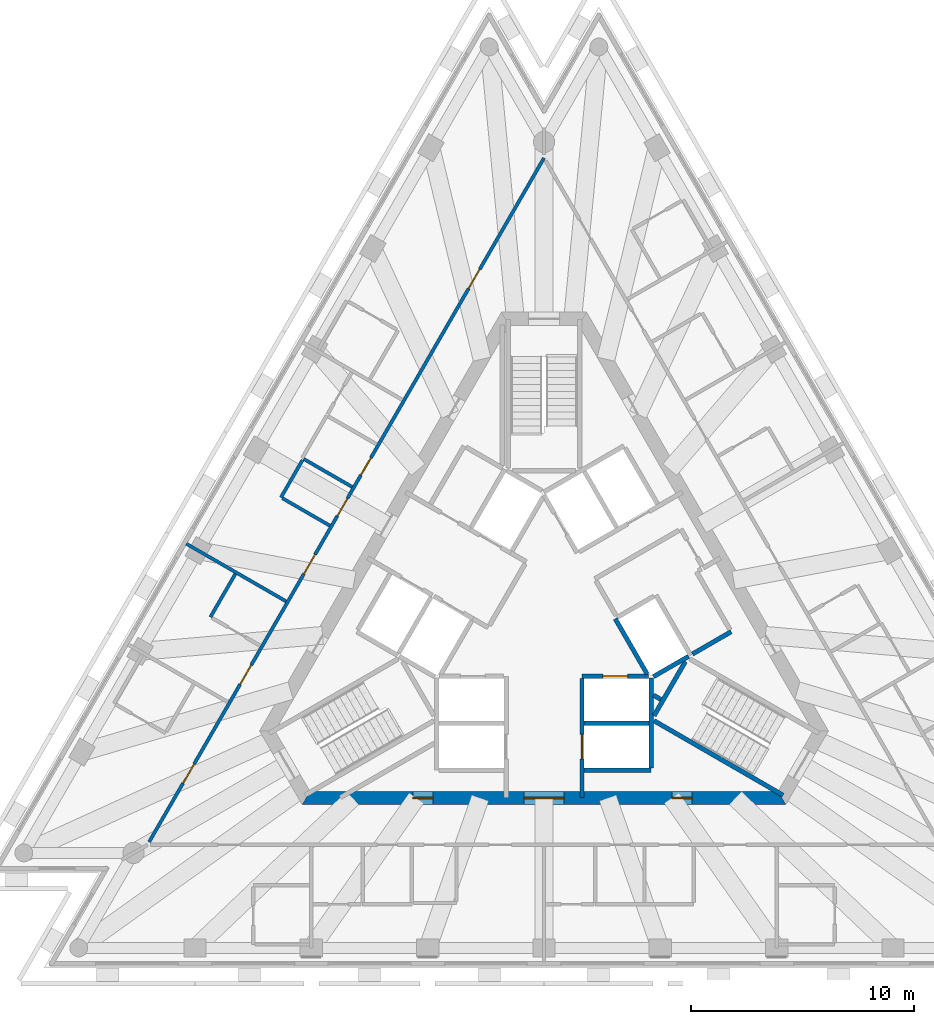
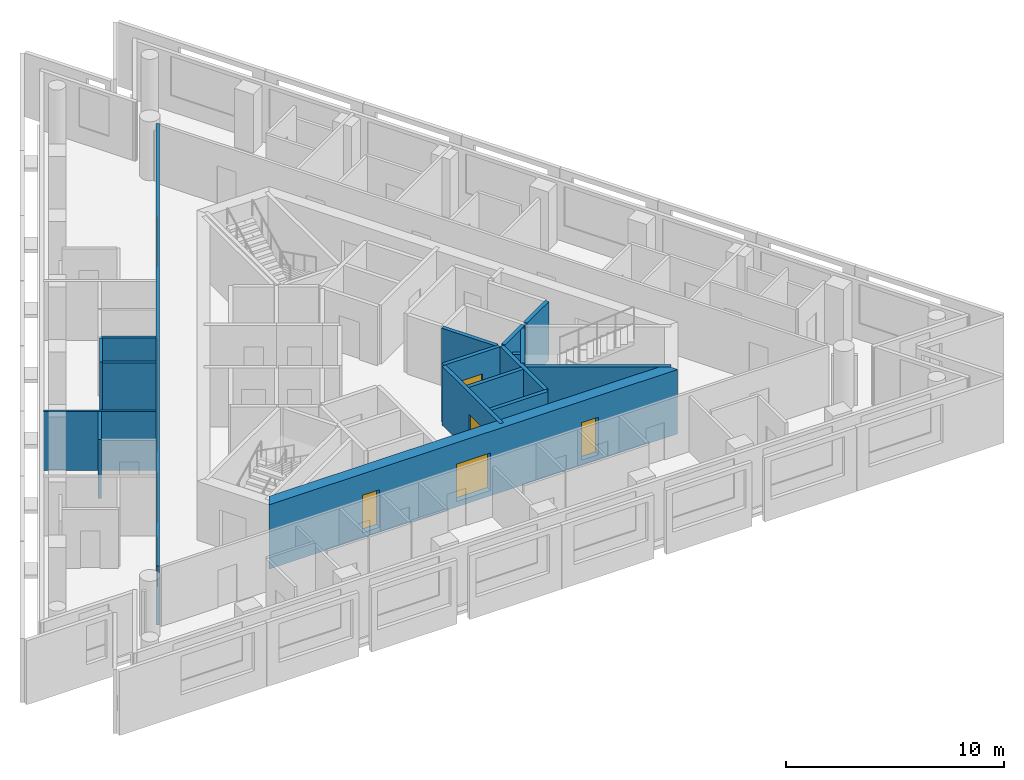
# One storey, part 4 of 10: 18 walls, 11 doors, 11 openings.
"""IFC4 building model written with IfcOpenShell, lengths in metres."""

from ifc_helpers import new_model, si_unit, direction, frame, frame_2d, origin, place, context, subcontext, project, spatial, polyline, rectangle, outline, extrude, material, layer, layer_set, type_object, element, fill, save


model = new_model("IFC4")

# Units and contexts
model_context = context("Model", 3, precision=1e-05, world=origin(), true_north=direction((0.0, 1.0)))
body_context = subcontext(model_context, "Body", "Model", "MODEL_VIEW")
ifc_project = project(units=[si_unit("LENGTHUNIT", "METRE"), si_unit("AREAUNIT", "SQUARE_METRE"), si_unit("VOLUMEUNIT", "CUBIC_METRE"), si_unit("PLANEANGLEUNIT", "RADIAN"), si_unit("MASSUNIT", "GRAM", prefix="KILO")], contexts=[model_context])

# Site, building, storey
site_placement = place(None, origin())
site = spatial("IfcSite", under=ifc_project, at=site_placement, CompositionType="ELEMENT")
building_placement = place(site_placement, origin())
building = spatial("IfcBuilding", under=site, at=building_placement, Name="Triada Interchange Tower", CompositionType="ELEMENT")
storey_placement = place(building_placement, frame((0.0, 0.0, 315.10009765625)))
storey = spatial("IfcBuildingStorey", under=building, at=storey_placement, Name="L75", CompositionType="ELEMENT", Elevation=315.10009765625)

# Walls
ifc_material_1 = material(Name="Concrete C30/37", Category="concrete")
ifc_layer_1 = layer(ifc_material_1, 0.199951171875)
ifc_layer_set_1 = layer_set([ifc_layer_1], Name="CORE WALL 200 EI 120")
wall_type_1 = type_object("IfcWallType", Name="CORE WALL 200 EI 120", PredefinedType="SOLIDWALL", material=ifc_layer_set_1)
wall_1_placement = place(storey_placement, frame((1.800048828125, -6.89990234375, 0.0), z_axis=(0.0, 0.0, 1.0), x_axis=(1.0, 0.0, 0.0)))
element("IfcWall", 1, at=wall_1_placement, inside=storey, type_object=wall_type_1, Name="Wall L74 68", PredefinedType="SOLIDWALL", context=body_context, shape_type="SweptSolid", body=[
    extrude(rectangle(XDim=3.0, YDim=0.199951171875, at=frame_2d((1.5, 0.0))), origin(), (0.0, 0.0, 1.0), 3.2998046875),
])
wall_2_placement = place(storey_placement, frame((1.800048828125, -4.800048828125, 0.0), z_axis=(0.0, 0.0, 1.0), x_axis=(1.0, 0.0, 0.0)))
element("IfcWall", 2, at=wall_2_placement, inside=storey, type_object=wall_type_1, Name="Wall L74 70", PredefinedType="SOLIDWALL", context=body_context, shape_type="SweptSolid", body=[
    extrude(rectangle(XDim=2.89990234375, YDim=0.199951171875, at=frame_2d((1.449951171875, 0.0))), origin(), (0.0, 0.0, 1.0), 3.2998046875),
])

# Wall, opening, door
wall_3_placement = place(storey_placement, frame((1.702880859375, -2.699951171875, 0.0), z_axis=(0.0, 0.0, 1.0), x_axis=(1.0, 0.0, 0.0)))
wall_3 = element("IfcWall", 3, at=wall_3_placement, inside=storey, type_object=wall_type_1, Name="Wall L74 73", PredefinedType="SOLIDWALL", context=body_context, shape_type="SweptSolid", body=[
    extrude(rectangle(XDim=2.97314453125, YDim=0.199951171875, at=frame_2d((1.486572265625, 0.0))), origin(), (0.0, 0.0, 1.0), 3.2998046875),
])
opening_1_placement = place(wall_3_placement, frame((0.93603515625, 0.0, 0.0)))
opening_1 = element("IfcOpeningElement", 4, at=opening_1_placement, cuts=wall_3, Name="Opening LD-HR1", PredefinedType="OPENING", context=body_context, shape_type="SweptSolid", body=[
    extrude(rectangle(XDim=1.10009765625, YDim=2.10009765625, at=frame_2d((0.550048828125, 1.050048828125))), frame((0.0, 0.10986328125, 0.0), z_axis=(0.0, -1.0, 0.0), x_axis=(1.0, 0.0, 0.0)), (0.0, 0.0, 1.0), 0.219970703125),
])
ifc_material_2 = material(Name="Steel S235 door leaf", Category="steel")
door_type_1 = type_object("IfcDoorType", Name="LIFT LANDING DOOR 1100 EI 120", OperationType="SLIDING_TO_LEFT", PredefinedType="DOOR", material=ifc_material_2)
door_1_placement = place(opening_1_placement, origin())
door_1 = element("IfcDoor", 5, at=door_1_placement, inside=storey, type_object=door_type_1, Name="HR1 landing door L75", OperationType="SLIDING_TO_LEFT", OverallHeight=2.10009765625, OverallWidth=1.10009765625, PredefinedType="DOOR", context=body_context, shape_type="SweptSolid", body=[
    extrude(rectangle(XDim=1.10009765625, YDim=2.10009765625, at=frame_2d((0.550048828125, 1.050048828125))), frame((0.0, 0.02490234375, 0.0), z_axis=(0.0, -1.0, 0.0), x_axis=(1.0, 0.0, 0.0)), (0.0, 0.0, 1.0), 0.050048828125),
])
fill(opening_1, door_1)

# Wall
wall_4_placement = place(storey_placement, frame((3.18994140625, -0.125, 0.0), z_axis=(0.0, 0.0, 1.0), x_axis=(0.499988658015, -0.866031951983, 0.0)))
element("IfcWall", 6, at=wall_4_placement, inside=storey, type_object=wall_type_1, Name="Wall L74 76", PredefinedType="SOLIDWALL", context=body_context, shape_type="SweptSolid", body=[
    extrude(rectangle(XDim=2.85791015625, YDim=0.199951171875, at=frame_2d((1.428955078125, 0.0))), origin(), (0.0, 0.0, 1.0), 3.2998046875),
])

# Wall, opening, door
wall_5_placement = place(storey_placement, frame((1.699951171875, -8.1298828125, 0.0), z_axis=(0.0, 0.0, 1.0), x_axis=(0.0, 1.0, 0.0)))
wall_5 = element("IfcWall", 7, at=wall_5_placement, inside=storey, type_object=wall_type_1, Name="Wall L74 78", PredefinedType="SOLIDWALL", context=body_context, shape_type="SweptSolid", body=[
    extrude(rectangle(XDim=5.326904296875, YDim=0.199951171875, at=frame_2d((2.66357421875, 0.0))), origin(), (0.0, 0.0, 1.0), 3.2998046875),
])
opening_2_placement = place(wall_5_placement, frame((1.72998046875, 0.0, 0.0)))
opening_2 = element("IfcOpeningElement", 8, at=opening_2_placement, cuts=wall_5, Name="Opening LD-HR2", PredefinedType="OPENING", context=body_context, shape_type="SweptSolid", body=[
    extrude(rectangle(XDim=1.10009765625, YDim=2.10009765625, at=frame_2d((0.550048828125, 1.050048828125))), frame((0.0, 0.10986328125, 0.0), z_axis=(0.0, -1.0, 0.0), x_axis=(1.0, 0.0, 0.0)), (0.0, 0.0, 1.0), 0.219970703125),
])
door_2_placement = place(opening_2_placement, origin())
door_2 = element("IfcDoor", 9, at=door_2_placement, inside=storey, type_object=door_type_1, Name="HR2 landing door L75", OperationType="SLIDING_TO_LEFT", OverallHeight=2.10009765625, OverallWidth=1.10009765625, PredefinedType="DOOR", context=body_context, shape_type="SweptSolid", body=[
    extrude(rectangle(XDim=1.10009765625, YDim=2.10009765625, at=frame_2d((0.550048828125, 1.050048828125))), frame((0.0, 0.02490234375, 0.0), z_axis=(0.0, -1.0, 0.0), x_axis=(1.0, 0.0, 0.0)), (0.0, 0.0, 1.0), 0.050048828125),
])
fill(opening_2, door_2)

# Walls
wall_6_placement = place(storey_placement, frame((4.800048828125, -6.800048828125, 0.0), z_axis=(0.0, 0.0, 1.0), x_axis=(0.0, 1.0, 0.0)))
element("IfcWall", 10, at=wall_6_placement, inside=storey, type_object=wall_type_1, Name="Wall L74 79", PredefinedType="SOLIDWALL", context=body_context, shape_type="SweptSolid", body=[
    extrude(rectangle(XDim=4.029052734375, YDim=0.199951171875, at=frame_2d((2.0146484375, 0.0))), origin(), (0.0, 0.0, 1.0), 3.2998046875),
])
wall_7_placement = place(storey_placement, frame((4.89990234375, -2.714111328125, 0.0), z_axis=(0.0, 0.0, 1.0), x_axis=(0.865846928409, 0.500309001083, 0.0)))
element("IfcWall", 11, at=wall_7_placement, inside=storey, type_object=wall_type_1, Name="Wall L74 88", PredefinedType="SOLIDWALL", context=body_context, shape_type="SweptSolid", body=[
    extrude(rectangle(XDim=1.813232421875, YDim=0.199951171875, at=frame_2d((0.90673828125, 0.0))), origin(), (0.0, 0.0, 1.0), 3.2998046875),
])
ifc_layer_2 = layer(ifc_material_1, 0.199951171875)
ifc_layer_set_2 = layer_set([ifc_layer_2], Name="CORE WALL 200 EI 90")
wall_type_2 = type_object("IfcWallType", Name="CORE WALL 200 EI 90", PredefinedType="SOLIDWALL", material=ifc_layer_set_2)
wall_8_placement = place(storey_placement, frame((4.89990234375, -3.5458984375, 0.0), z_axis=(0.0, 0.0, 1.0), x_axis=(0.865527936036, -0.500860651221, 0.0)))
element("IfcWall", 12, at=wall_8_placement, inside=storey, type_object=wall_type_2, Name="Wall L74 106", PredefinedType="SOLIDWALL", context=body_context, shape_type="SweptSolid", body=[
    extrude(rectangle(XDim=0.383544921875, YDim=0.199951171875, at=frame_2d((0.19189453125, 0.0))), origin(), (0.0, 0.0, 1.0), 3.2998046875),
])
wall_9_placement = place(storey_placement, frame((6.64208984375, -1.7080078125, 0.0), z_axis=(0.0, 0.0, 1.0), x_axis=(0.866043441391, 0.499968756647, 0.0)))
element("IfcWall", 13, at=wall_9_placement, inside=storey, type_object=wall_type_2, Name="Wall L74 107", PredefinedType="SOLIDWALL", context=body_context, shape_type="SweptSolid", body=[
    extrude(rectangle(XDim=2.002197265625, YDim=0.199951171875, at=frame_2d((1.0009765625, 0.0))), origin(), (0.0, 0.0, 1.0), 3.2998046875),
])
ifc_layer_3 = layer(ifc_material_1, 0.199951171875)
ifc_layer_set_3 = layer_set([ifc_layer_3], Name="CORE WALL 200 REI 240")
wall_type_3 = type_object("IfcWallType", Name="CORE WALL 200 REI 240", PredefinedType="SOLIDWALL", material=ifc_layer_set_3)
wall_10_placement = place(storey_placement, frame((4.928955078125, -4.4619140625, 0.0), z_axis=(0.0, 0.0, 1.0), x_axis=(0.500200581029, 0.865909567298, 0.0)))
element("IfcWall", 14, at=wall_10_placement, inside=storey, type_object=wall_type_3, Name="Wall L74 116", PredefinedType="SOLIDWALL", context=body_context, shape_type="SweptSolid", body=[
    extrude(rectangle(XDim=2.799072265625, YDim=0.199951171875, at=frame_2d((1.3994140625, 0.0))), origin(), (0.0, 0.0, 1.0), 3.2998046875),
])
wall_11_placement = place(storey_placement, frame((4.928955078125, -4.693115234375, 0.0), z_axis=(0.0, 0.0, 1.0), x_axis=(0.866005022404, -0.500035299925, 0.0)))
element("IfcWall", 15, at=wall_11_placement, inside=storey, type_object=wall_type_3, Name="Wall L74 118", PredefinedType="SOLIDWALL", context=body_context, shape_type="SweptSolid", body=[
    extrude(rectangle(XDim=6.6650390625, YDim=0.199951171875, at=frame_2d((3.33251953125, 0.0))), origin(), (0.0, 0.0, 1.0), 3.2998046875),
])

# Wall, openings, doors
ifc_material_3 = material(Name="Concrete C40/50", Category="concrete")
ifc_layer_4 = layer(ifc_material_3, 0.60009765625)
ifc_layer_set_4 = layer_set([ifc_layer_4], Name="Core wall D 600")
wall_type_4 = type_object("IfcWallType", Name="Core wall D 600", PredefinedType="SHEAR", material=ifc_layer_set_4)
wall_12_placement = place(storey_placement, frame((-10.652099609375, -8.14990234375, -0.300048828125), z_axis=(0.0, 0.0, 1.0), x_axis=(1.0, 0.0, 0.0)))
wall_12 = element("IfcWall", 16, at=wall_12_placement, inside=storey, type_object=wall_type_4, Name="Core wall WD04 L75", PredefinedType="SHEAR", context=body_context, shape_type="SweptSolid", body=[
    extrude(outline(polyline([(-0.173095703125, -0.300048828125), (1.795166015625, -0.300048828125), (3.76318359375, -0.300048828125), (5.7314453125, -0.300048828125), (7.69970703125, -0.300048828125), (9.66796875, -0.300048828125), (11.635986328125, -0.300048828125), (13.604248046875, -0.300048828125), (15.572509765625, -0.300048828125), (17.540771484375, -0.300048828125), (19.5087890625, -0.300048828125), (21.47705078125, -0.300048828125), (21.131103515625, 0.300048828125), (19.225830078125, 0.300048828125), (17.320556640625, 0.300048828125), (15.415283203125, 0.300048828125), (13.510009765625, 0.300048828125), (11.604736328125, 0.300048828125), (9.699462890625, 0.300048828125), (7.794189453125, 0.300048828125), (5.888916015625, 0.300048828125), (3.983642578125, 0.300048828125), (2.078369140625, 0.300048828125), (0.173095703125, 0.300048828125), (-0.173095703125, -0.300048828125)])), origin(), (0.0, 0.0, 1.0), 3.599853515625),
])
opening_3_placement = place(wall_12_placement, frame((9.751953125, 0.0, 0.300048828125)))
opening_3 = element("IfcOpeningElement", 17, at=opening_3_placement, cuts=wall_12, Name="Opening D74-45", PredefinedType="OPENING", context=body_context, shape_type="SweptSolid", body=[
    extrude(rectangle(XDim=1.800048828125, YDim=2.10009765625, at=frame_2d((0.89990234375, 1.050048828125))), frame((0.0, 0.31005859375, 0.0), z_axis=(0.0, -1.0, 0.0), x_axis=(1.0, 0.0, 0.0)), (0.0, 0.0, 1.0), 0.6201171875),
])
opening_4_placement = place(wall_12_placement, frame((4.777099609375, 0.0, 0.300048828125)))
opening_4 = element("IfcOpeningElement", 18, at=opening_4_placement, cuts=wall_12, Name="Opening D74-51", PredefinedType="OPENING", context=body_context, shape_type="SweptSolid", body=[
    extrude(rectangle(XDim=0.89990234375, YDim=2.10009765625, at=frame_2d((0.449951171875, 1.050048828125))), frame((0.0, 0.31005859375, 0.0), z_axis=(0.0, -1.0, 0.0), x_axis=(1.0, 0.0, 0.0)), (0.0, 0.0, 1.0), 0.6201171875),
])
opening_5_placement = place(wall_12_placement, frame((16.3779296875, 0.0, 0.300048828125)))
opening_5 = element("IfcOpeningElement", 19, at=opening_5_placement, cuts=wall_12, Name="Opening D74-54", PredefinedType="OPENING", context=body_context, shape_type="SweptSolid", body=[
    extrude(rectangle(XDim=0.89990234375, YDim=2.10009765625, at=frame_2d((0.449951171875, 1.050048828125))), frame((0.0, 0.31005859375, 0.0), z_axis=(0.0, -1.0, 0.0), x_axis=(1.0, 0.0, 0.0)), (0.0, 0.0, 1.0), 0.6201171875),
])
door_type_2 = type_object("IfcDoorType", Name="LOBBY DOOR 1800 EI2 90-C5S200", OperationType="DOUBLE_DOOR_SINGLE_SWING", PredefinedType="DOOR", material=ifc_material_2)
door_3_placement = place(opening_3_placement, origin())
door_3 = element("IfcDoor", 20, at=door_3_placement, inside=storey, type_object=door_type_2, Name="Door D74-45 L75", OperationType="DOUBLE_DOOR_SINGLE_SWING", OverallHeight=2.10009765625, OverallWidth=1.800048828125, PredefinedType="DOOR", context=body_context, shape_type="SweptSolid", body=[
    extrude(rectangle(XDim=1.800048828125, YDim=2.10009765625, at=frame_2d((0.89990234375, 1.050048828125))), frame((0.0, 0.02490234375, 0.0), z_axis=(0.0, -1.0, 0.0), x_axis=(1.0, 0.0, 0.0)), (0.0, 0.0, 1.0), 0.050048828125),
])
fill(opening_3, door_3)
door_type_3 = type_object("IfcDoorType", Name="RISER ACCESS DOOR 900 EI2 45-C5S200", OperationType="NOTDEFINED", PredefinedType="DOOR", material=ifc_material_2)
door_4_placement = place(opening_4_placement, origin())
door_4 = element("IfcDoor", 21, at=door_4_placement, inside=storey, type_object=door_type_3, Name="Door D74-51 L75", OperationType="SINGLE_SWING_RIGHT", OverallHeight=2.10009765625, OverallWidth=0.89990234375, PredefinedType="DOOR", context=body_context, shape_type="SweptSolid", body=[
    extrude(rectangle(XDim=0.89990234375, YDim=2.10009765625, at=frame_2d((0.449951171875, 1.050048828125))), frame((0.0, 0.02490234375, 0.0), z_axis=(0.0, -1.0, 0.0), x_axis=(1.0, 0.0, 0.0)), (0.0, 0.0, 1.0), 0.050048828125),
])
fill(opening_4, door_4)
door_type_4 = type_object("IfcDoorType", Name="SERVICE DOOR 900 EI2 45-C5S200", OperationType="NOTDEFINED", PredefinedType="DOOR", material=ifc_material_2)
door_5_placement = place(opening_5_placement, origin())
door_5 = element("IfcDoor", 22, at=door_5_placement, inside=storey, type_object=door_type_4, Name="Door D74-54 L75", OperationType="SINGLE_SWING_RIGHT", OverallHeight=2.10009765625, OverallWidth=0.89990234375, PredefinedType="DOOR", context=body_context, shape_type="SweptSolid", body=[
    extrude(rectangle(XDim=0.89990234375, YDim=2.10009765625, at=frame_2d((0.449951171875, 1.050048828125))), frame((0.0, 0.02490234375, 0.0), z_axis=(0.0, -1.0, 0.0), x_axis=(1.0, 0.0, 0.0)), (0.0, 0.0, 1.0), 0.050048828125),
])
fill(opening_5, door_5)

ifc_material_4 = material(Name="Gypsum board partition")
ifc_layer_5 = layer(ifc_material_4, 0.14990234375)
ifc_layer_set_5 = layer_set([ifc_layer_5], Name="PARTITION 150 EI 180")
wall_type_5 = type_object("IfcWallType", Name="PARTITION 150 EI 180", PredefinedType="PARTITIONING", material=ifc_layer_set_5)
wall_13_placement = place(storey_placement, frame((-17.677978515625, -10.1201171875, 0.0), z_axis=(0.0, 0.0, 1.0), x_axis=(0.49998824015, 0.86603219323, 0.0)))
wall_13 = element("IfcWall", 23, at=wall_13_placement, inside=storey, type_object=wall_type_5, Name="Wall L74 4", PredefinedType="PARTITIONING", context=body_context, shape_type="SweptSolid", body=[
    extrude(rectangle(XDim=35.356689453125, YDim=0.14990234375, at=frame_2d((17.67822265625, 0.0))), origin(), (0.0, 0.0, 1.0), 3.2998046875),
])
opening_6_placement = place(wall_13_placement, frame((28.60693359375, 0.0, 0.0)))
opening_6 = element("IfcOpeningElement", 24, at=opening_6_placement, cuts=wall_13, Name="Opening D74-35", PredefinedType="OPENING", context=body_context, shape_type="SweptSolid", body=[
    extrude(rectangle(XDim=1.0, YDim=2.10009765625, at=frame_2d((0.5, 1.050048828125))), frame((0.0, 0.0849609375, 0.0), z_axis=(0.0, -1.0, 0.0), x_axis=(1.0, 0.0, 0.0)), (0.0, 0.0, 1.0), 0.169921875),
])
opening_7_placement = place(wall_13_placement, frame((13.860107421875, 0.0, 0.0)))
opening_7 = element("IfcOpeningElement", 25, at=opening_7_placement, cuts=wall_13, Name="Opening D74-37", PredefinedType="OPENING", context=body_context, shape_type="SweptSolid", body=[
    extrude(rectangle(XDim=1.0, YDim=2.10009765625, at=frame_2d((0.5, 1.050048828125))), frame((0.0, 0.0849609375, 0.0), z_axis=(0.0, -1.0, 0.0), x_axis=(1.0, 0.0, 0.0)), (0.0, 0.0, 1.0), 0.169921875),
])
opening_8_placement = place(wall_13_placement, frame((18.9599609375, 0.0, 0.0)))
opening_8 = element("IfcOpeningElement", 26, at=opening_8_placement, cuts=wall_13, Name="Opening D74-39", PredefinedType="OPENING", context=body_context, shape_type="SweptSolid", body=[
    extrude(rectangle(XDim=0.89990234375, YDim=2.10009765625, at=frame_2d((0.449951171875, 1.050048828125))), frame((0.0, 0.0849609375, 0.0), z_axis=(0.0, -1.0, 0.0), x_axis=(1.0, 0.0, 0.0)), (0.0, 0.0, 1.0), 0.169921875),
])
opening_9_placement = place(wall_13_placement, frame((16.860107421875, 0.0, 0.0)))
opening_9 = element("IfcOpeningElement", 27, at=opening_9_placement, cuts=wall_13, Name="Opening D74-40", PredefinedType="OPENING", context=body_context, shape_type="SweptSolid", body=[
    extrude(rectangle(XDim=0.89990234375, YDim=2.10009765625, at=frame_2d((0.449951171875, 1.050048828125))), frame((0.0, 0.0849609375, 0.0), z_axis=(0.0, -1.0, 0.0), x_axis=(1.0, 0.0, 0.0)), (0.0, 0.0, 1.0), 0.169921875),
])
opening_10_placement = place(wall_13_placement, frame((8.14599609375, 0.0, 0.0)))
opening_10 = element("IfcOpeningElement", 28, at=opening_10_placement, cuts=wall_13, Name="Opening D74-41", PredefinedType="OPENING", context=body_context, shape_type="SweptSolid", body=[
    extrude(rectangle(XDim=1.0, YDim=2.10009765625, at=frame_2d((0.5, 1.050048828125))), frame((0.0, 0.0849609375, 0.0), z_axis=(0.0, -1.0, 0.0), x_axis=(1.0, 0.0, 0.0)), (0.0, 0.0, 1.0), 0.169921875),
])
opening_11_placement = place(wall_13_placement, frame((3.0380859375, 0.0, 0.0)))
opening_11 = element("IfcOpeningElement", 29, at=opening_11_placement, cuts=wall_13, Name="Opening D74-43", PredefinedType="OPENING", context=body_context, shape_type="SweptSolid", body=[
    extrude(rectangle(XDim=1.0, YDim=2.10009765625, at=frame_2d((0.5, 1.050048828125))), frame((0.0, 0.0849609375, 0.0), z_axis=(0.0, -1.0, 0.0), x_axis=(1.0, 0.0, 0.0)), (0.0, 0.0, 1.0), 0.169921875),
])
door_type_5 = type_object("IfcDoorType", Name="GUEST ROOM DOOR 1000 EI2 90-C5S200", OperationType="NOTDEFINED", PredefinedType="DOOR", material=ifc_material_2)
door_6_placement = place(opening_6_placement, origin())
door_6 = element("IfcDoor", 30, at=door_6_placement, inside=storey, type_object=door_type_5, Name="Door D74-35 L75", OperationType="SINGLE_SWING_RIGHT", OverallHeight=2.10009765625, OverallWidth=1.0, PredefinedType="DOOR", context=body_context, shape_type="SweptSolid", body=[
    extrude(rectangle(XDim=1.0, YDim=2.10009765625, at=frame_2d((0.5, 1.050048828125))), frame((0.0, 0.02490234375, 0.0), z_axis=(0.0, -1.0, 0.0), x_axis=(1.0, 0.0, 0.0)), (0.0, 0.0, 1.0), 0.050048828125),
])
fill(opening_6, door_6)
door_7_placement = place(opening_7_placement, origin())
door_7 = element("IfcDoor", 31, at=door_7_placement, inside=storey, type_object=door_type_5, Name="Door D74-37 L75", OperationType="SINGLE_SWING_LEFT", OverallHeight=2.10009765625, OverallWidth=1.0, PredefinedType="DOOR", context=body_context, shape_type="SweptSolid", body=[
    extrude(rectangle(XDim=1.0, YDim=2.10009765625, at=frame_2d((0.5, 1.050048828125))), frame((0.0, 0.02490234375, 0.0), z_axis=(0.0, -1.0, 0.0), x_axis=(1.0, 0.0, 0.0)), (0.0, 0.0, 1.0), 0.050048828125),
])
fill(opening_7, door_7)
door_8_placement = place(opening_10_placement, origin())
door_8 = element("IfcDoor", 32, at=door_8_placement, inside=storey, type_object=door_type_5, Name="Door D74-41 L75", OperationType="SINGLE_SWING_LEFT", OverallHeight=2.10009765625, OverallWidth=1.0, PredefinedType="DOOR", context=body_context, shape_type="SweptSolid", body=[
    extrude(rectangle(XDim=1.0, YDim=2.10009765625, at=frame_2d((0.5, 1.050048828125))), frame((0.0, 0.02490234375, 0.0), z_axis=(0.0, -1.0, 0.0), x_axis=(1.0, 0.0, 0.0)), (0.0, 0.0, 1.0), 0.050048828125),
])
fill(opening_10, door_8)
door_9_placement = place(opening_11_placement, origin())
door_9 = element("IfcDoor", 33, at=door_9_placement, inside=storey, type_object=door_type_5, Name="Door D74-43 L75", OperationType="SINGLE_SWING_LEFT", OverallHeight=2.10009765625, OverallWidth=1.0, PredefinedType="DOOR", context=body_context, shape_type="SweptSolid", body=[
    extrude(rectangle(XDim=1.0, YDim=2.10009765625, at=frame_2d((0.5, 1.050048828125))), frame((0.0, 0.02490234375, 0.0), z_axis=(0.0, -1.0, 0.0), x_axis=(1.0, 0.0, 0.0)), (0.0, 0.0, 1.0), 0.050048828125),
])
fill(opening_11, door_9)
door_type_6 = type_object("IfcDoorType", Name="ROOM DOOR 900 EI2 90-C5S200", OperationType="NOTDEFINED", PredefinedType="DOOR", material=ifc_material_2)
door_10_placement = place(opening_9_placement, origin())
door_10 = element("IfcDoor", 34, at=door_10_placement, inside=storey, type_object=door_type_6, Name="Door D74-40 L75", OperationType="SINGLE_SWING_RIGHT", OverallHeight=2.10009765625, OverallWidth=0.89990234375, PredefinedType="DOOR", context=body_context, shape_type="SweptSolid", body=[
    extrude(rectangle(XDim=0.89990234375, YDim=2.10009765625, at=frame_2d((0.449951171875, 1.050048828125))), frame((0.0, 0.02490234375, 0.0), z_axis=(0.0, -1.0, 0.0), x_axis=(1.0, 0.0, 0.0)), (0.0, 0.0, 1.0), 0.050048828125),
])
fill(opening_9, door_10)
door_type_7 = type_object("IfcDoorType", Name="SERVICE DOOR 900 EI2 90-C5S200", OperationType="NOTDEFINED", PredefinedType="DOOR", material=ifc_material_2)
door_11_placement = place(opening_8_placement, origin())
door_11 = element("IfcDoor", 35, at=door_11_placement, inside=storey, type_object=door_type_7, Name="Door D74-39 L75", OperationType="SINGLE_SWING_LEFT", OverallHeight=2.10009765625, OverallWidth=0.89990234375, PredefinedType="DOOR", context=body_context, shape_type="SweptSolid", body=[
    extrude(rectangle(XDim=0.89990234375, YDim=2.10009765625, at=frame_2d((0.449951171875, 1.050048828125))), frame((0.0, 0.02490234375, 0.0), z_axis=(0.0, -1.0, 0.0), x_axis=(1.0, 0.0, 0.0)), (0.0, 0.0, 1.0), 0.050048828125),
])
fill(opening_8, door_11)

# Walls
wall_14_placement = place(storey_placement, frame((-16.011962890625, 3.23193359375, 0.0), z_axis=(0.0, 0.0, 1.0), x_axis=(0.86604134632, -0.499972385701, 0.0)))
element("IfcWall", 36, at=wall_14_placement, inside=storey, type_object=wall_type_5, Name="Wall L74 6", PredefinedType="PARTITIONING", context=body_context, shape_type="SweptSolid", body=[
    extrude(rectangle(XDim=5.157958984375, YDim=0.14990234375, at=frame_2d((2.5791015625, 0.0))), origin(), (0.0, 0.0, 1.0), 3.2998046875),
])
wall_15_placement = place(storey_placement, frame((-10.759033203125, 7.028076171875, 0.0), z_axis=(0.0, 0.0, 1.0), x_axis=(0.866083422639, -0.499899494929, 0.0)))
element("IfcWall", 37, at=wall_15_placement, inside=storey, type_object=wall_type_5, Name="Wall L74 9", PredefinedType="PARTITIONING", context=body_context, shape_type="SweptSolid", body=[
    extrude(rectangle(XDim=2.5068359375, YDim=0.14990234375, at=frame_2d((1.25341796875, 0.0))), origin(), (0.0, 0.0, 1.0), 3.2998046875),
])
wall_16_placement = place(storey_placement, frame((-11.77490234375, 5.304931640625, 0.0), z_axis=(0.0, 0.0, 1.0), x_axis=(0.49995654735, 0.86605048973, 0.0)))
element("IfcWall", 38, at=wall_16_placement, inside=storey, type_object=wall_type_5, Name="Wall L74 10", PredefinedType="PARTITIONING", context=body_context, shape_type="SweptSolid", body=[
    extrude(rectangle(XDim=1.926025390625, YDim=0.14990234375, at=frame_2d((0.962890625, 0.0))), origin(), (0.0, 0.0, 1.0), 3.2998046875),
])
wall_17_placement = place(storey_placement, frame((-11.7099609375, 5.26806640625, 0.0), z_axis=(0.0, 0.0, 1.0), x_axis=(0.8660395779, -0.499975448907, 0.0)))
element("IfcWall", 39, at=wall_17_placement, inside=storey, type_object=wall_type_5, Name="Wall L74 11", PredefinedType="PARTITIONING", context=body_context, shape_type="SweptSolid", body=[
    extrude(rectangle(XDim=2.4501953125, YDim=0.14990234375, at=frame_2d((1.22509765625, 0.0))), origin(), (0.0, 0.0, 1.0), 3.2998046875),
])
ifc_layer_6 = layer(ifc_material_4, 0.14990234375)
ifc_layer_set_6 = layer_set([ifc_layer_6], Name="PARTITION 150 EI 90")
wall_type_6 = type_object("IfcWallType", Name="PARTITION 150 EI 90", PredefinedType="PARTITIONING", material=ifc_layer_set_6)
wall_18_placement = place(storey_placement, frame((-14.930908203125, -0.048095703125, 0.0), z_axis=(0.0, 0.0, 1.0), x_axis=(0.500080171303, 0.865979111913, 0.0)))
element("IfcWall", 40, at=wall_18_placement, inside=storey, type_object=wall_type_6, Name="Wall L74 36", PredefinedType="PARTITIONING", context=body_context, shape_type="SweptSolid", body=[
    extrude(rectangle(XDim=2.225341796875, YDim=0.14990234375, at=frame_2d((1.11279296875, 0.0))), origin(), (0.0, 0.0, 1.0), 3.2998046875),
])

save(model, "model.ifc")
